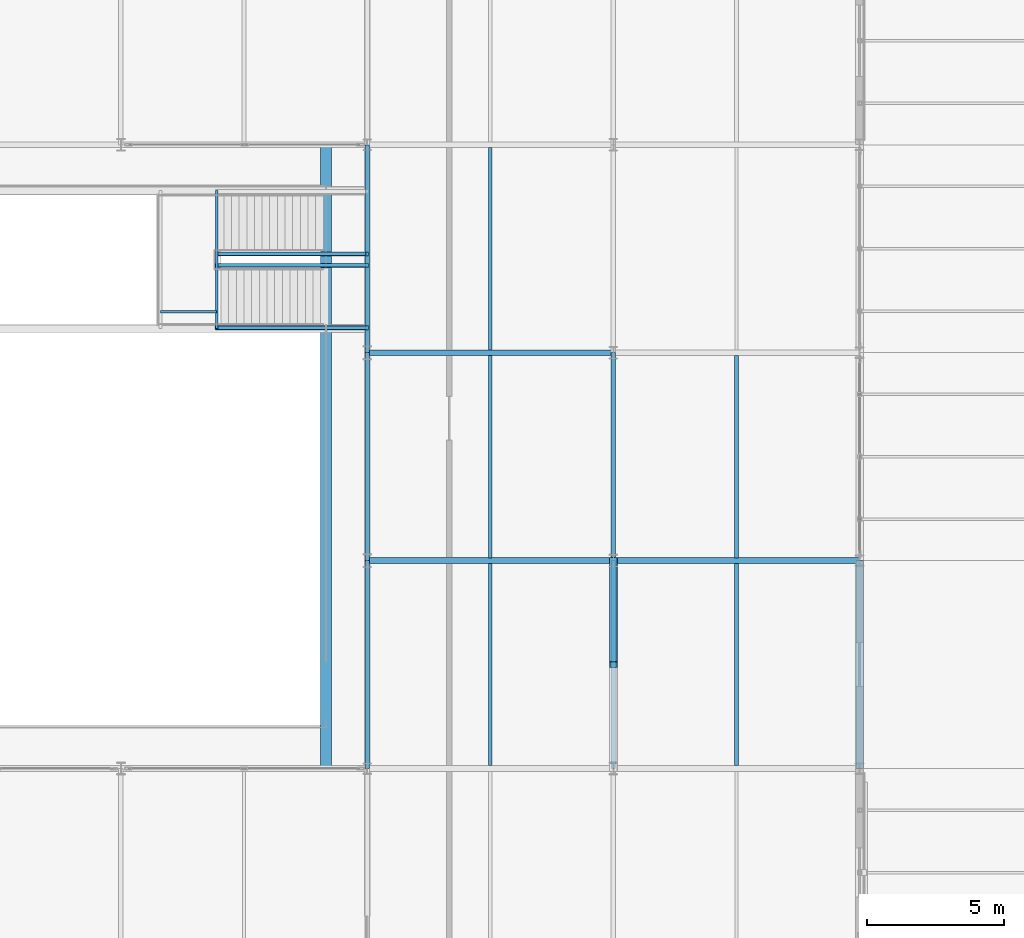
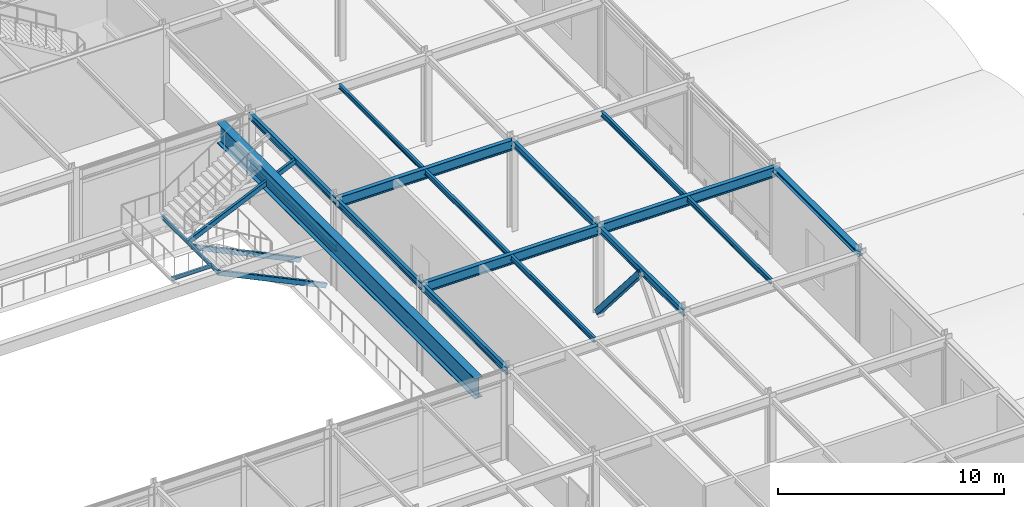
# One storey, part 60 of 113: 18 beams, 4 members.
"""IFC4 building model written with IfcOpenShell, lengths in metres."""

from ifc_helpers import new_model, si_unit, direction, frame, origin, origin_2d, place, context, subcontext, project, spatial, hollow_rectangle, i_section, extrude, material, material_profile, profile_set, type_object, element, save


model = new_model("IFC4")

# Units and contexts
model_context = context("Model", 3, precision=1e-05, world=origin(), true_north=direction((0.0, 1.0)))
body_context = subcontext(model_context, "Body", "Model", "MODEL_VIEW")
ifc_project = project(units=[si_unit("LENGTHUNIT", "METRE"), si_unit("AREAUNIT", "SQUARE_METRE"), si_unit("VOLUMEUNIT", "CUBIC_METRE"), si_unit("PLANEANGLEUNIT", "RADIAN"), si_unit("MASSUNIT", "GRAM", prefix="KILO")], contexts=[model_context])

# Site, building, storey
site_placement = place(None, origin())
site = spatial("IfcSite", under=ifc_project, at=site_placement, CompositionType="ELEMENT")
building_placement = place(site_placement, origin())
building = spatial("IfcBuilding", under=site, at=building_placement, Name="Shalkamar Park Central Library", CompositionType="ELEMENT")
storey_placement = place(building_placement, frame((0.0, 0.0, 5.39990234375)))
storey = spatial("IfcBuildingStorey", under=building, at=storey_placement, Name="L02", CompositionType="ELEMENT", Elevation=5.39990234375)

# Beams
ifc_material = material(Name="Steel S355", Category="steel")
ifc_material_profile_1 = material_profile(ifc_material, i_section(OverallWidth=0.39990234375, OverallDepth=1.10009765625, WebThickness=0.01806640625, FlangeThickness=0.031982421875, FilletRadius=0.02001953125, at=origin_2d()), Name="PG 1100x400")
ifc_profile_set_1 = profile_set([ifc_material_profile_1], Name="Steel S355")
beam_type_1 = type_object("IfcBeamType", Name="Atrium Gallery Girder PG1100", PredefinedType="BEAM", material=ifc_profile_set_1)
beam_1_placement = place(storey_placement, frame((253.5, 270.39990234375, 4.31005859375), z_axis=(0.0, 1.0, 0.0), x_axis=(-1.0, 0.0, 0.0)))
element("IfcBeam", 1, at=beam_1_placement, inside=storey, type_object=beam_type_1, Name="Atrium Stair ST-A2 Arrival Trimmer", PredefinedType="BEAM", context=body_context, shape_type="SweptSolid", body=[
    extrude(i_section(OverallWidth=0.39990234375, OverallDepth=1.10009765625, WebThickness=0.01806640625, FlangeThickness=0.031982421875, FilletRadius=0.02001953125, at=origin_2d()), origin(), (0.0, 0.0, 1.0), 22.800048828125),
])
ifc_material_profile_2 = material_profile(ifc_material, i_section(OverallWidth=0.10009765625, OverallDepth=0.199951171875, WebThickness=0.005615234375, FlangeThickness=0.008544921875, FilletRadius=0.011962890625, at=origin_2d()), Name="IPE 200")
ifc_profile_set_2 = profile_set([ifc_material_profile_2], Name="Steel S355")
beam_type_2 = type_object("IfcBeamType", Name="Composite Floor Joist IPE200", PredefinedType="JOIST", material=ifc_profile_set_2)
beam_2_placement = place(storey_placement, frame((249.5, 286.47998046875, 2.170166015625), z_axis=(0.0, 1.0, 0.0), x_axis=(-1.0, 0.0, 0.0)))
element("IfcBeam", 2, at=beam_2_placement, inside=storey, type_object=beam_type_2, Name="Atrium Stair ST-A2 Landing Beam 2", PredefinedType="JOIST", context=body_context, shape_type="SweptSolid", body=[
    extrude(i_section(OverallWidth=0.10009765625, OverallDepth=0.199951171875, WebThickness=0.005615234375, FlangeThickness=0.008544921875, FilletRadius=0.011962890625, at=origin_2d()), origin(), (0.0, 0.0, 1.0), 5.0400390625),
])
beam_3_placement = place(storey_placement, frame((247.449951171875, 287.10009765625, 2.170166015625), z_axis=(1.0, 0.0, 0.0), x_axis=(0.0, 1.0, 0.0)))
element("IfcBeam", 3, at=beam_3_placement, inside=storey, type_object=beam_type_2, Name="Atrium Stair ST-A2 Landing Cross Beam 3", PredefinedType="JOIST", context=body_context, shape_type="SweptSolid", body=[
    extrude(i_section(OverallWidth=0.10009765625, OverallDepth=0.199951171875, WebThickness=0.005615234375, FlangeThickness=0.008544921875, FilletRadius=0.011962890625, at=origin_2d()), origin(), (0.0, 0.0, 1.0), 2.050048828125),
])
ifc_material_profile_3 = material_profile(ifc_material, i_section(OverallWidth=0.1201171875, OverallDepth=0.239990234375, WebThickness=0.006103515625, FlangeThickness=0.009765625, FilletRadius=0.014892578125, at=origin_2d()), Name="IPE 240")
ifc_profile_set_3 = profile_set([ifc_material_profile_3], Name="Steel S355")
beam_type_3 = type_object("IfcBeamType", Name="Composite Floor Joist IPE240", PredefinedType="JOIST", material=ifc_profile_set_3)
beam_4_placement = place(storey_placement, frame((259.5, 285.702880859375, 4.739990234375), z_axis=(0.0, 1.0, 0.0), x_axis=(-1.0, 0.0, 0.0)))
element("IfcBeam", 4, at=beam_4_placement, inside=storey, type_object=beam_type_3, Name="Composite Joist 18/G-1 (L02)", PredefinedType="JOIST", context=body_context, shape_type="SweptSolid", body=[
    extrude(i_section(OverallWidth=0.1201171875, OverallDepth=0.239990234375, WebThickness=0.006103515625, FlangeThickness=0.009765625, FilletRadius=0.014892578125, at=origin_2d()), origin(), (0.0, 0.0, 1.0), 7.39404296875),
])
ifc_material_profile_4 = material_profile(ifc_material, i_section(OverallWidth=0.135009765625, OverallDepth=0.27001953125, WebThickness=0.006591796875, FlangeThickness=0.01025390625, FilletRadius=0.014892578125, at=origin_2d()), Name="IPE 270")
ifc_profile_set_4 = profile_set([ifc_material_profile_4], Name="Steel S355")
beam_type_4 = type_object("IfcBeamType", Name="Composite Floor Joist IPE270", PredefinedType="JOIST", material=ifc_profile_set_4)
for number, where, z_axis, x_axis, name in (
    (5, (259.5, 270.5029296875, 4.72509765625), (0.0, 1.0, 0.0), (-1.0, 0.0, 0.0), "Composite Joist 18/E-1 (L02)"),
    (6, (259.5, 278.10302734375, 4.72509765625), (0.0, 1.0, 0.0), (-1.0, 0.0, 0.0), "Composite Joist 18/F-1 (L02)"),
    (7, (268.5, 270.5029296875, 4.72509765625), (0.0, 1.0, 0.0), (-1.0, 0.0, 0.0), "Composite Joist 19/E-1 (L02)"),
    (8, (268.5, 278.10302734375, 4.72509765625), (0.0, 1.0, 0.0), (-1.0, 0.0, 0.0), "Composite Joist 19/F-1 (L02)"),
):
    element("IfcBeam", number, at=place(storey_placement, frame(where, z_axis=z_axis, x_axis=x_axis)), inside=storey, type_object=beam_type_4, Name=name, PredefinedType="JOIST", context=body_context, shape_type="SweptSolid", body=[
        extrude(i_section(OverallWidth=0.135009765625, OverallDepth=0.27001953125, WebThickness=0.006591796875, FlangeThickness=0.01025390625, FilletRadius=0.014892578125, at=origin_2d()), origin(), (0.0, 0.0, 1.0), 7.39404296875),
    ])

# Member
ifc_material_profile_5 = material_profile(ifc_material, hollow_rectangle(XDim=0.300048828125, YDim=0.300048828125, WallThickness=0.01611328125, InnerFilletRadius=0.01611328125, OuterFilletRadius=0.02392578125, at=origin_2d()), Name="SHS 300x300x16")
ifc_profile_set_5 = profile_set([ifc_material_profile_5], Name="Steel S355")
member_type_1 = type_object("IfcMemberType", Name="Diagonal Brace SHS300", PredefinedType="BRACE", material=ifc_profile_set_5)
member_1_placement = place(storey_placement, frame((264.0, 278.0, 0.150146484375), z_axis=(0.0, -0.652781978733, 0.757545832436), x_axis=(1.0, 0.0, 0.0)))
element("IfcMember", 9, at=member_1_placement, inside=storey, type_object=member_type_1, Name="Chevron Brace PD-E Leg B (L02)", PredefinedType="BRACE", context=body_context, shape_type="SweptSolid", body=[
    extrude(hollow_rectangle(XDim=0.300048828125, YDim=0.300048828125, WallThickness=0.01611328125, InnerFilletRadius=0.01611328125, OuterFilletRadius=0.02392578125, at=origin_2d()), origin(), (0.0, 0.0, 1.0), 5.8212890625),
])

# Beams
ifc_material_profile_6 = material_profile(ifc_material, i_section(OverallWidth=0.280029296875, OverallDepth=0.27001953125, WebThickness=0.008056640625, FlangeThickness=0.012939453125, FilletRadius=0.02392578125, at=origin_2d()), Name="HEA 280")
ifc_profile_set_6 = profile_set([ifc_material_profile_6], Name="Steel S355")
beam_type_5 = type_object("IfcBeamType", Name="Perimeter Spandrel Beam HEA280", PredefinedType="SPANDREL", material=ifc_profile_set_6)
beam_5_placement = place(storey_placement, frame((273.0, 270.39990234375, 4.72509765625), z_axis=(0.0, 1.0, 0.0), x_axis=(-1.0, 0.0, 0.0)))
element("IfcBeam", 10, at=beam_5_placement, inside=storey, type_object=beam_type_5, Name="Beam 20:E-F (L02)", PredefinedType="SPANDREL", context=body_context, shape_type="SweptSolid", body=[
    extrude(i_section(OverallWidth=0.280029296875, OverallDepth=0.27001953125, WebThickness=0.008056640625, FlangeThickness=0.012939453125, FilletRadius=0.02392578125, at=origin_2d()), origin(), (0.0, 0.0, 1.0), 7.60009765625),
])
ifc_material_profile_7 = material_profile(ifc_material, i_section(OverallWidth=0.169921875, OverallDepth=0.360107421875, WebThickness=0.008056640625, FlangeThickness=0.0126953125, FilletRadius=0.01806640625, at=origin_2d()), Name="IPE 360")
ifc_profile_set_7 = profile_set([ifc_material_profile_7], Name="Steel S355")
beam_type_6 = type_object("IfcBeamType", Name="Primary Girder IPE360", PredefinedType="BEAM", material=ifc_profile_set_7)
for number, where, z_axis, x_axis, name in (
    (11, (255.0, 270.39990234375, 4.68017578125), (0.0, 1.0, 0.0), (-1.0, 0.0, 0.0), "Beam 18:E-F (L02)"),
    (12, (255.0, 278.0, 4.68017578125), (0.0, 1.0, 0.0), (-1.0, 0.0, 0.0), "Beam 18:F-G (L02)"),
):
    element("IfcBeam", number, at=place(storey_placement, frame(where, z_axis=z_axis, x_axis=x_axis)), inside=storey, type_object=beam_type_6, Name=name, PredefinedType="BEAM", context=body_context, shape_type="SweptSolid", body=[
        extrude(i_section(OverallWidth=0.169921875, OverallDepth=0.360107421875, WebThickness=0.008056640625, FlangeThickness=0.0126953125, FilletRadius=0.01806640625, at=origin_2d()), origin(), (0.0, 0.0, 1.0), 7.60009765625),
    ])
beam_6_placement = place(storey_placement, frame((255.0, 285.60009765625, 4.68017578125), z_axis=(0.0, 1.0, 0.0), x_axis=(-1.0, 0.0, 0.0)))
element("IfcBeam", 13, at=beam_6_placement, inside=storey, type_object=beam_type_6, Name="Beam 18:G-H (L02)", PredefinedType="BEAM", context=body_context, shape_type="SweptSolid", body=[
    extrude(i_section(OverallWidth=0.169921875, OverallDepth=0.360107421875, WebThickness=0.008056640625, FlangeThickness=0.0126953125, FilletRadius=0.01806640625, at=origin_2d()), origin(), (0.0, 0.0, 1.0), 7.599853515625),
])
for number, where, z_axis, x_axis, name in (
    (14, (264.0, 270.39990234375, 4.68017578125), (0.0, 1.0, 0.0), (-1.0, 0.0, 0.0), "Beam 19:E-F (L02)"),
    (15, (264.0, 278.0, 4.68017578125), (0.0, 1.0, 0.0), (-1.0, 0.0, 0.0), "Beam 19:F-G (L02)"),
):
    element("IfcBeam", number, at=place(storey_placement, frame(where, z_axis=z_axis, x_axis=x_axis)), inside=storey, type_object=beam_type_6, Name=name, PredefinedType="BEAM", context=body_context, shape_type="SweptSolid", body=[
        extrude(i_section(OverallWidth=0.169921875, OverallDepth=0.360107421875, WebThickness=0.008056640625, FlangeThickness=0.0126953125, FilletRadius=0.01806640625, at=origin_2d()), origin(), (0.0, 0.0, 1.0), 7.60009765625),
    ])
beam_7_placement = place(storey_placement, frame((255.0, 285.60009765625, 2.090087890625), z_axis=(0.0, 1.0, 0.0), x_axis=(-1.0, 0.0, 0.0)))
element("IfcBeam", 16, at=beam_7_placement, inside=storey, type_object=beam_type_6, Name="Atrium Stair ST-A2 End Header E", PredefinedType="BEAM", context=body_context, shape_type="SweptSolid", body=[
    extrude(i_section(OverallWidth=0.169921875, OverallDepth=0.360107421875, WebThickness=0.008056640625, FlangeThickness=0.0126953125, FilletRadius=0.01806640625, at=origin_2d()), origin(), (0.0, 0.0, 1.0), 7.599853515625),
])
ifc_material_profile_8 = material_profile(ifc_material, i_section(OverallWidth=0.2099609375, OverallDepth=0.550048828125, WebThickness=0.010986328125, FlangeThickness=0.01708984375, FilletRadius=0.02392578125, at=origin_2d()), Name="IPE 550")
ifc_profile_set_8 = profile_set([ifc_material_profile_8], Name="Steel S355")
beam_type_7 = type_object("IfcBeamType", Name="Primary Girder IPE550", PredefinedType="BEAM", material=ifc_profile_set_8)
for number, where, z_axis, x_axis, name in (
    (17, (255.0, 278.0, 4.585205078125), (1.0, 0.0, 0.0), (0.0, 1.0, 0.0), "Beam F:18-19 (L02)"),
    (18, (264.0, 278.0, 4.585205078125), (1.0, 0.0, 0.0), (0.0, 1.0, 0.0), "Beam F:19-20 (L02)"),
    (19, (255.0, 285.60009765625, 4.585205078125), (1.0, 0.0, 0.0), (0.0, 1.0, 0.0), "Beam G:18-19 (L02)"),
):
    element("IfcBeam", number, at=place(storey_placement, frame(where, z_axis=z_axis, x_axis=x_axis)), inside=storey, type_object=beam_type_7, Name=name, PredefinedType="BEAM", context=body_context, shape_type="SweptSolid", body=[
        extrude(i_section(OverallWidth=0.2099609375, OverallDepth=0.550048828125, WebThickness=0.010986328125, FlangeThickness=0.01708984375, FilletRadius=0.02392578125, at=origin_2d()), origin(), (0.0, 0.0, 1.0), 9.0),
    ])

# Members
ifc_material_profile_9 = material_profile(ifc_material, hollow_rectangle(XDim=0.14990234375, YDim=0.25, WallThickness=0.010009765625, InnerFilletRadius=0.010009765625, OuterFilletRadius=0.014892578125, at=origin_2d()), Name="RHS 250x150x10")
ifc_profile_set_9 = profile_set([ifc_material_profile_9], Name="Steel S355")
member_type_2 = type_object("IfcMemberType", Name="Stair Stringer RHS250", PredefinedType="STRINGER", material=ifc_profile_set_9)
for number, where, z_axis, x_axis, name in (
    (20, (249.5, 286.510009765625, 2.170166015625), (0.90279235906, 0.0, -0.430076686676), (0.0, 1.0, 0.0), "Monumental Stair ST-A2 Stringer 1"),
    (21, (249.5, 288.7900390625, 2.170166015625), (0.90279235906, 0.0, -0.430076686676), (0.0, 1.0, 0.0), "Monumental Stair ST-A2 Stringer 2"),
):
    element("IfcMember", number, at=place(storey_placement, frame(where, z_axis=z_axis, x_axis=x_axis)), inside=storey, type_object=member_type_2, Name=name, PredefinedType="STRINGER", context=body_context, shape_type="SweptSolid", body=[
        extrude(hollow_rectangle(XDim=0.14990234375, YDim=0.25, WallThickness=0.010009765625, InnerFilletRadius=0.010009765625, OuterFilletRadius=0.014892578125, at=origin_2d()), origin(), (0.0, 0.0, 1.0), 6.09228515625),
    ])
member_2_placement = place(storey_placement, frame((249.5, 289.2099609375, 2.170166015625), z_axis=(0.911612327408, 0.0, 0.411051048554), x_axis=(0.0, 1.0, 0.0)))
element("IfcMember", 22, at=member_2_placement, inside=storey, type_object=member_type_2, Name="Monumental Stair ST-A2 Stringer 3", PredefinedType="STRINGER", context=body_context, shape_type="SweptSolid", body=[
    extrude(hollow_rectangle(XDim=0.14990234375, YDim=0.25, WallThickness=0.010009765625, InnerFilletRadius=0.010009765625, OuterFilletRadius=0.014892578125, at=origin_2d()), origin(), (0.0, 0.0, 1.0), 6.033203125),
])

save(model, "model.ifc")
